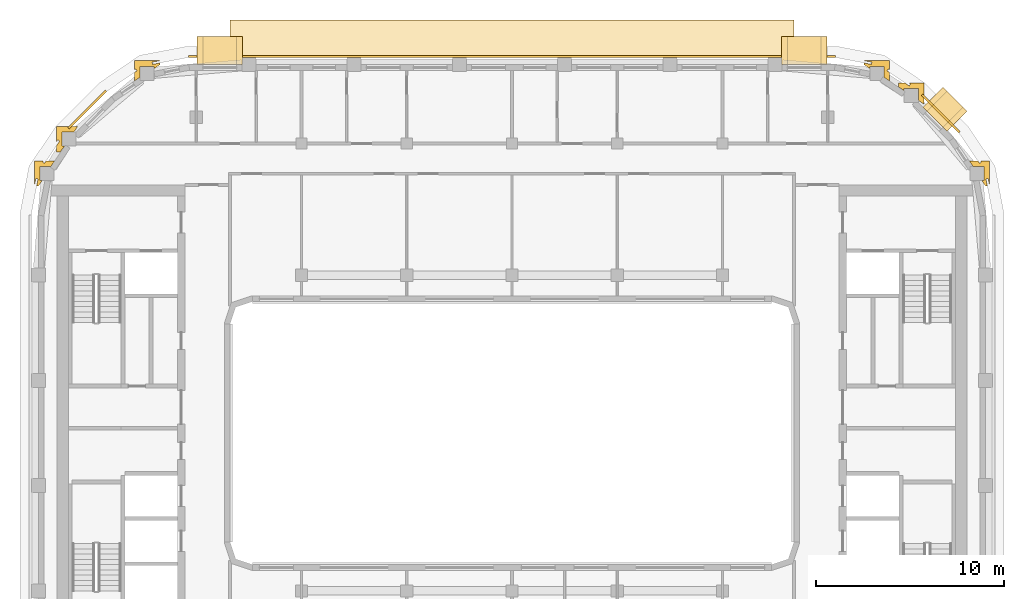
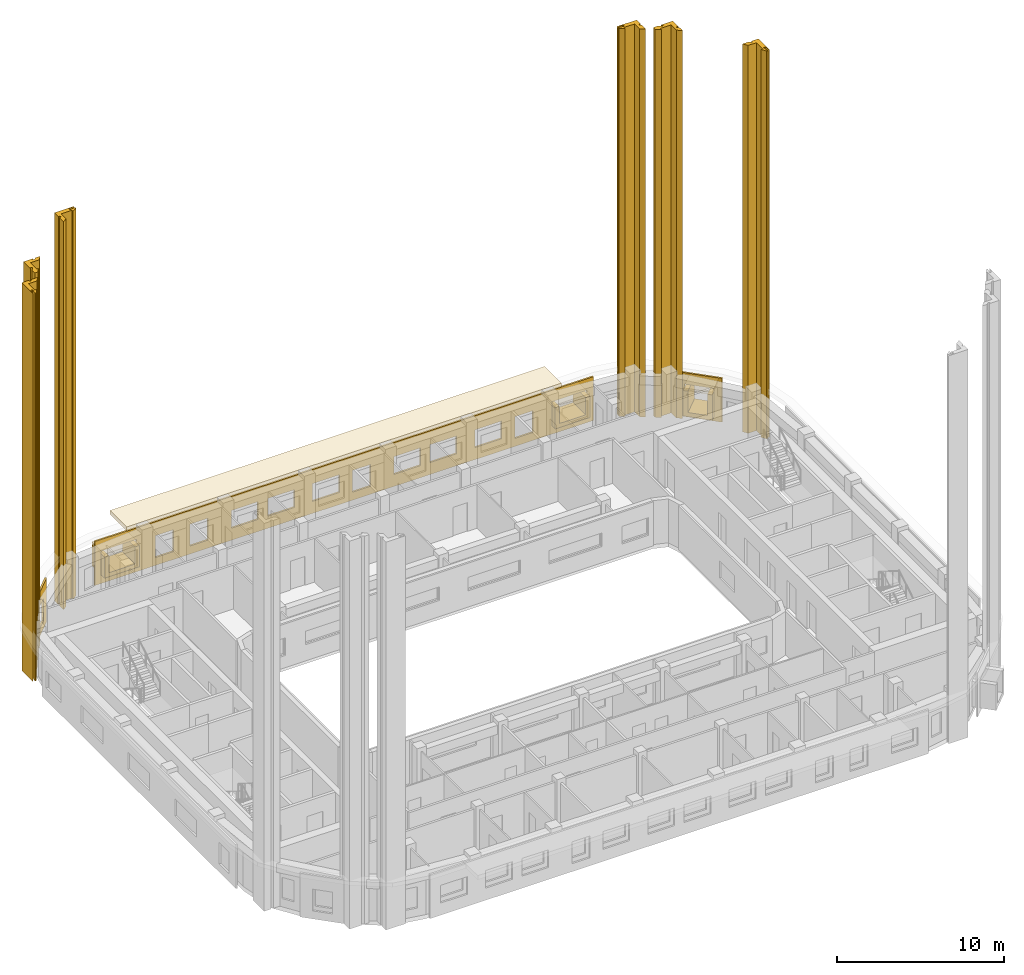
# One storey, part 15 of 15: 16 coverings.
"""IFC4 building model written with IfcOpenShell, lengths in metres."""

from ifc_helpers import new_model, si_unit, direction, frame, origin, origin_2d, place, context, subcontext, project, spatial, polyline, rectangle, outline, extrude, material, layer, layer_set, type_object, element, save


model = new_model("IFC4")

# Units and contexts
model_context = context("Model", 3, precision=1e-05, world=origin(), true_north=direction((0.0, 1.0)))
body_context = subcontext(model_context, "Body", "Model", "MODEL_VIEW")
ifc_project = project(units=[si_unit("LENGTHUNIT", "METRE"), si_unit("AREAUNIT", "SQUARE_METRE"), si_unit("VOLUMEUNIT", "CUBIC_METRE"), si_unit("PLANEANGLEUNIT", "RADIAN"), si_unit("MASSUNIT", "GRAM", prefix="KILO")], contexts=[model_context])

# Site, building, storey
site_placement = place(None, origin())
site = spatial("IfcSite", under=ifc_project, at=site_placement, CompositionType="ELEMENT")
building_placement = place(site_placement, origin())
building = spatial("IfcBuilding", under=site, at=building_placement, Name="Kiln Ring Residences", CompositionType="ELEMENT")
storey_placement = place(building_placement, frame((0.0, 0.0, 266.199951171875)))
storey = spatial("IfcBuildingStorey", under=building, at=storey_placement, Name="L69", CompositionType="ELEMENT", Elevation=266.199951171875)

# Coverings
ifc_material_1 = material(Name="Brick masonry, dark clay brick", Category="masonry")
ifc_layer_1 = layer(ifc_material_1, 0.300048828125)
ifc_layer_set_1 = layer_set([ifc_layer_1], Name="FRAME CHEEKS AND SILL 1500")
covering_type_1 = type_object("IfcCoveringType", Name="FRAME CHEEKS AND SILL 1500", PredefinedType="CLADDING", material=ifc_layer_set_1)
covering_1_placement = place(storey_placement, frame((23.6708984375, 16.58984375, 0.300048828125), z_axis=(0.0, 0.0, 1.0), x_axis=(-0.707106781187, 0.707106781187, 0.0)))
element("IfcCovering", 1, at=covering_1_placement, inside=storey, type_object=covering_type_1, Name="FRAME L69", PredefinedType="CLADDING", context=body_context, shape_type="SweptSolid", body=[
    extrude(outline(polyline([(0.0, 0.0), (1.7998046875, 0.0), (1.800048828125, 1.85009765625), (1.5009765625, 1.85009765625), (1.5, 0.300048828125), (0.300048828125, 0.300048828125), (0.299072265625, 1.85009765625), (0.0, 1.85009765625), (0.0, 0.0)])), frame((0.0, 0.75, 0.0), z_axis=(0.0, -1.0, 0.0), x_axis=(1.0, 0.0, 0.0)), (0.0, 0.0, 1.0), 1.5),
])
for number, where, z_axis, x_axis, name in (
    (2, (16.75, 20.35009765625, 0.60009765625), (0.0, 0.0, 1.0), (-1.0, 0.0, 0.0), "FRAME L69"),
    (3, (-14.35009765625, 20.35009765625, 0.60009765625), (0.0, 0.0, 1.0), (-1.0, 0.0, 0.0), "FRAME L69"),
):
    element("IfcCovering", number, at=place(storey_placement, frame(where, z_axis=z_axis, x_axis=x_axis)), inside=storey, type_object=covering_type_1, Name=name, PredefinedType="CLADDING", context=body_context, shape_type="SweptSolid", body=[
        extrude(outline(polyline([(0.0, 0.0), (2.39990234375, 0.0), (2.39990234375, 1.550048828125), (2.10107421875, 1.550048828125), (2.10009765625, 0.300048828125), (0.300048828125, 0.300048828125), (0.299072265625, 1.550048828125), (0.0, 1.550048828125), (0.0, 0.0)])), frame((0.0, 0.75, 0.0), z_axis=(0.0, -1.0, 0.0), x_axis=(1.0, 0.0, 0.0)), (0.0, 0.0, 1.0), 1.5),
    ])
ifc_material_2 = material(Name="Brick masonry, dark clay brick", Category="masonry")
ifc_layer_2 = layer(ifc_material_2, 0.199951171875)
ifc_layer_set_2 = layer_set([ifc_layer_2], Name="FRAME HEAD 1500")
covering_type_2 = type_object("IfcCoveringType", Name="FRAME HEAD 1500", PredefinedType="CLADDING", material=ifc_layer_set_2)
covering_2_placement = place(storey_placement, frame((23.034423828125, 17.22607421875, 2.14990234375), z_axis=(0.0, 0.0, 1.0), x_axis=(-0.707106781187, 0.707106781187, 0.0)))
element("IfcCovering", 4, at=covering_2_placement, inside=storey, type_object=covering_type_2, Name="FRAME HEAD L69", PredefinedType="CLADDING", context=body_context, shape_type="SweptSolid", body=[
    extrude(rectangle(XDim=1.800048828125, YDim=1.5, at=origin_2d()), origin(), (0.0, 0.0, 1.0), 0.199951171875),
])
for number, where, z_axis, x_axis, name in (
    (5, (15.550048828125, 20.35009765625, 2.14990234375), (0.0, 0.0, 1.0), (-1.0, 0.0, 0.0), "FRAME HEAD L69"),
    (6, (-15.550048828125, 20.35009765625, 2.14990234375), (0.0, 0.0, 1.0), (-1.0, 0.0, 0.0), "FRAME HEAD L69"),
):
    element("IfcCovering", number, at=place(storey_placement, frame(where, z_axis=z_axis, x_axis=x_axis)), inside=storey, type_object=covering_type_2, Name=name, PredefinedType="CLADDING", context=body_context, shape_type="SweptSolid", body=[
        extrude(rectangle(XDim=2.39990234375, YDim=1.5, at=origin_2d()), origin(), (0.0, 0.0, 1.0), 0.199951171875),
    ])
ifc_material_3 = material(Name="Brick masonry, dark clay brick", Category="masonry")
ifc_layer_3 = layer(ifc_material_3, 0.300048828125)
ifc_layer_set_3 = layer_set([ifc_layer_3], Name="PIER CLADDING 300")
covering_type_3 = type_object("IfcCoveringType", Name="PIER CLADDING 300", PredefinedType="CLADDING", material=ifc_layer_set_3)
placement = place(storey_placement, origin())
element("IfcCovering", 7, at=placement, inside=storey, type_object=covering_type_3, Name="PIER CLADDING L69-L75", PredefinedType="CLADDING", context=body_context, shape_type="SweptSolid", body=[
    extrude(outline(polyline([(25.4130859375, 13.1337890625), (25.4130859375, 14.483642578125), (24.92578125, 14.483642578125), (24.969482421875, 14.41943359375), (24.87060546875, 14.352294921875), (24.781005859375, 14.483642578125), (24.327392578125, 14.483642578125), (24.53125, 14.18359375), (25.113037109375, 14.18359375), (25.113037109375, 13.43359375), (24.992919921875, 13.43359375), (25.19677734375, 13.1337890625), (25.289306640625, 13.1337890625), (25.216064453125, 13.51806640625), (25.333740234375, 13.540283203125), (25.411376953125, 13.1337890625), (25.4130859375, 13.1337890625)])), origin(), (0.0, 0.0, 1.0), 28.300048828125),
])
element("IfcCovering", 8, at=placement, inside=storey, type_object=covering_type_3, Name="PIER CLADDING L69-L75", PredefinedType="CLADDING", context=body_context, shape_type="SweptSolid", body=[
    extrude(outline(polyline([(20.887451171875, 18.634765625), (20.565185546875, 18.634765625), (20.565185546875, 18.41845703125), (20.865234375, 18.214599609375), (20.865234375, 18.334716796875), (21.615234375, 18.334716796875), (21.615234375, 17.704833984375), (21.915283203125, 17.501220703125), (21.915283203125, 17.815185546875), (21.770751953125, 17.959716796875), (21.85546875, 18.04443359375), (21.915283203125, 17.984619140625), (21.915283203125, 18.634765625), (21.1005859375, 18.634765625), (21.19970703125, 18.5673828125), (21.13232421875, 18.468505859375), (20.887451171875, 18.634765625)])), origin(), (0.0, 0.0, 1.0), 28.300048828125),
])
element("IfcCovering", 9, at=placement, inside=storey, type_object=covering_type_3, Name="PIER CLADDING L69-L75", PredefinedType="CLADDING", context=body_context, shape_type="SweptSolid", body=[
    extrude(outline(polyline([(20.083740234375, 19.81298828125), (18.733642578125, 19.81298828125), (18.733642578125, 19.811279296875), (19.140380859375, 19.733642578125), (19.117919921875, 19.615966796875), (18.733642578125, 19.689208984375), (18.733642578125, 19.5966796875), (19.03369140625, 19.39306640625), (19.03369140625, 19.51318359375), (19.78369140625, 19.51318359375), (19.78369140625, 18.931396484375), (20.083740234375, 18.727294921875), (20.083740234375, 19.18115234375), (19.9521484375, 19.2705078125), (20.01953125, 19.36962890625), (20.083740234375, 19.325927734375), (20.083740234375, 19.81298828125)])), origin(), (0.0, 0.0, 1.0), 28.300048828125),
])
element("IfcCovering", 10, at=placement, inside=storey, type_object=covering_type_3, Name="PIER CLADDING L69-L75", PredefinedType="CLADDING", context=body_context, shape_type="SweptSolid", body=[
    extrude(outline(polyline([(-18.733642578125, 19.81298828125), (-20.083740234375, 19.81298828125), (-20.083740234375, 19.325927734375), (-20.01953125, 19.36962890625), (-19.9521484375, 19.2705078125), (-20.083740234375, 19.18115234375), (-20.083740234375, 18.727294921875), (-19.78369140625, 18.931396484375), (-19.78369140625, 19.51318359375), (-19.03369140625, 19.51318359375), (-19.03369140625, 19.39306640625), (-18.733642578125, 19.5966796875), (-18.733642578125, 19.689208984375), (-19.117919921875, 19.615966796875), (-19.140380859375, 19.733642578125), (-18.733642578125, 19.811279296875), (-18.733642578125, 19.81298828125)])), origin(), (0.0, 0.0, 1.0), 28.300048828125),
])
element("IfcCovering", 11, at=placement, inside=storey, type_object=covering_type_3, Name="PIER CLADDING L69-L75", PredefinedType="CLADDING", context=body_context, shape_type="SweptSolid", body=[
    extrude(outline(polyline([(-23.584716796875, 16.315185546875), (-24.23486328125, 16.315185546875), (-24.23486328125, 15.500732421875), (-24.16748046875, 15.599609375), (-24.068359375, 15.5322265625), (-24.23486328125, 15.28759765625), (-24.23486328125, 14.965087890625), (-24.0185546875, 14.965087890625), (-23.814697265625, 15.26513671875), (-23.934814453125, 15.26513671875), (-23.934814453125, 16.01513671875), (-23.304931640625, 16.01513671875), (-23.10107421875, 16.315185546875), (-23.415283203125, 16.315185546875), (-23.559814453125, 16.170654296875), (-23.64453125, 16.25537109375), (-23.584716796875, 16.315185546875)])), origin(), (0.0, 0.0, 1.0), 28.300048828125),
])
element("IfcCovering", 12, at=placement, inside=storey, type_object=covering_type_3, Name="PIER CLADDING L69-L75", PredefinedType="CLADDING", context=body_context, shape_type="SweptSolid", body=[
    extrude(outline(polyline([(-24.92578125, 14.483642578125), (-25.4130859375, 14.483642578125), (-25.4130859375, 13.1337890625), (-25.411376953125, 13.1337890625), (-25.333740234375, 13.540283203125), (-25.216064453125, 13.51806640625), (-25.289306640625, 13.1337890625), (-25.19677734375, 13.1337890625), (-24.992919921875, 13.43359375), (-25.113037109375, 13.43359375), (-25.113037109375, 14.18359375), (-24.53125, 14.18359375), (-24.327392578125, 14.483642578125), (-24.781005859375, 14.483642578125), (-24.87060546875, 14.352294921875), (-24.969482421875, 14.41943359375), (-24.92578125, 14.483642578125)])), origin(), (0.0, 0.0, 1.0), 28.300048828125),
])
ifc_material_4 = material(Name="Brick masonry, dark clay brick", Category="masonry")
ifc_layer_4 = layer(ifc_material_4, 0.1201171875)
ifc_layer_set_4 = layer_set([ifc_layer_4], Name="RAINSCREEN PANEL 120")
covering_type_4 = type_object("IfcCoveringType", Name="RAINSCREEN PANEL 120", PredefinedType="CLADDING", material=ifc_layer_set_4)
covering_9_placement = place(storey_placement, frame((23.810546875, 16.004638671875, 0.0), z_axis=(0.0, 0.0, 1.0), x_axis=(-0.707106781187, 0.707106781187, 0.0)))
element("IfcCovering", 13, at=covering_9_placement, inside=storey, type_object=covering_type_4, Name="RAINSCREEN L69", PredefinedType="CLADDING", context=body_context, shape_type="SweptSolid", body=[
    extrude(outline(polyline([(0.0, 0.0), (2.824951171875, 0.0), (2.824951171875, 3.199951171875), (0.0, 3.199951171875), (0.0, 0.0)]), holes=[polyline([(0.492431640625, 2.3701171875), (0.492431640625, 0.280029296875), (2.33251953125, 0.280029296875), (2.33251953125, 2.3701171875), (0.492431640625, 2.3701171875)])]), frame((0.0, 0.06005859375, 0.0), z_axis=(0.0, -1.0, 0.0), x_axis=(1.0, 0.0, 0.0)), (0.0, 0.0, 1.0), 0.1201171875),
])
covering_10_placement = place(storey_placement, frame((17.199951171875, 20.034912109375, 0.0), z_axis=(0.0, 0.0, 1.0), x_axis=(-1.0, 0.0, 0.0)))
element("IfcCovering", 14, at=covering_10_placement, inside=storey, type_object=covering_type_4, Name="RAINSCREEN L69", PredefinedType="CLADDING", context=body_context, shape_type="SweptSolid", body=[
    extrude(outline(polyline([(0.0, 0.0), (34.39990234375, 0.0), (34.39990234375, 3.199951171875), (0.0, 3.199951171875), (0.0, 0.0)]), holes=[polyline([(4.179931640625, 0.580078125), (5.419921875, 0.580078125), (5.419921875, 2.170166015625), (4.179931640625, 2.170166015625), (4.179931640625, 0.580078125)]), polyline([(15.3798828125, 2.170166015625), (15.3798828125, 0.580078125), (16.6201171875, 0.580078125), (16.6201171875, 2.170166015625), (15.3798828125, 2.170166015625)]), polyline([(0.429931640625, 2.3701171875), (0.429931640625, 0.580078125), (2.8701171875, 0.580078125), (2.8701171875, 2.3701171875), (0.429931640625, 2.3701171875)]), polyline([(6.330078125, 0.880126953125), (8.169921875, 0.880126953125), (8.169921875, 2.170166015625), (6.330078125, 2.170166015625), (6.330078125, 0.880126953125)]), polyline([(9.429931640625, 2.170166015625), (9.429931640625, 0.880126953125), (11.27001953125, 0.880126953125), (11.27001953125, 2.170166015625), (9.429931640625, 2.170166015625)]), polyline([(11.929931640625, 2.170166015625), (11.929931640625, 0.880126953125), (13.77001953125, 0.880126953125), (13.77001953125, 2.170166015625), (11.929931640625, 2.170166015625)]), polyline([(26.580078125, 0.580078125), (27.820068359375, 0.580078125), (27.820068359375, 2.170166015625), (26.580078125, 2.170166015625), (26.580078125, 0.580078125)]), polyline([(28.97998046875, 2.170166015625), (28.97998046875, 0.580078125), (30.219970703125, 0.580078125), (30.219970703125, 2.170166015625), (28.97998046875, 2.170166015625)]), polyline([(31.530029296875, 2.3701171875), (31.530029296875, 0.580078125), (33.969970703125, 0.580078125), (33.969970703125, 2.3701171875), (31.530029296875, 2.3701171875)]), polyline([(17.530029296875, 0.880126953125), (19.3701171875, 0.880126953125), (19.3701171875, 2.170166015625), (17.530029296875, 2.170166015625), (17.530029296875, 0.880126953125)]), polyline([(20.6298828125, 2.170166015625), (20.6298828125, 0.880126953125), (22.469970703125, 0.880126953125), (22.469970703125, 2.170166015625), (20.6298828125, 2.170166015625)]), polyline([(23.1298828125, 2.170166015625), (23.1298828125, 0.880126953125), (24.969970703125, 0.880126953125), (24.969970703125, 2.170166015625), (23.1298828125, 2.170166015625)])]), frame((0.0, 0.06005859375, 0.0), z_axis=(0.0, -1.0, 0.0), x_axis=(1.0, 0.0, 0.0)), (0.0, 0.0, 1.0), 0.1201171875),
])
covering_11_placement = place(storey_placement, frame((-21.604736328125, 18.21044921875, 0.0), z_axis=(0.0, 0.0, 1.0), x_axis=(-0.707106781187, -0.707106781187, 0.0)))
element("IfcCovering", 15, at=covering_11_placement, inside=storey, type_object=covering_type_4, Name="RAINSCREEN L69", PredefinedType="CLADDING", context=body_context, shape_type="SweptSolid", body=[
    extrude(outline(polyline([(0.0, 0.0), (2.824951171875, 0.0), (2.824951171875, 3.199951171875), (0.0, 3.199951171875), (0.0, 0.0)]), holes=[polyline([(0.79248046875, 2.170166015625), (0.79248046875, 0.580078125), (2.032470703125, 0.580078125), (2.032470703125, 2.170166015625), (0.79248046875, 2.170166015625)])]), frame((0.0, 0.06005859375, 0.0), z_axis=(0.0, -1.0, 0.0), x_axis=(1.0, 0.0, 0.0)), (0.0, 0.0, 1.0), 0.1201171875),
])
ifc_material_5 = material(Name="Black powder-coated steel", Category="steel")
ifc_layer_5 = layer(ifc_material_5, 0.300048828125)
ifc_layer_set_5 = layer_set([ifc_layer_5], Name="SUNSHADE BAND 2000")
covering_type_5 = type_object("IfcCoveringType", Name="SUNSHADE BAND 2000", PredefinedType="CLADDING", material=ifc_layer_set_5)
covering_12_placement = place(storey_placement, frame((0.0, 0.0, 3.199951171875)))
element("IfcCovering", 16, at=covering_12_placement, inside=storey, type_object=covering_type_5, Name="SUNSHADE BAND L69", PredefinedType="CLADDING", context=body_context, shape_type="SweptSolid", body=[
    extrude(outline(polyline([(15.0, 21.97509765625), (-15.0, 21.97509765625), (-15.0, 19.97509765625), (15.0, 19.97509765625), (15.0, 21.97509765625)])), origin(), (0.0, 0.0, 1.0), 0.300048828125),
])

save(model, "model.ifc")
